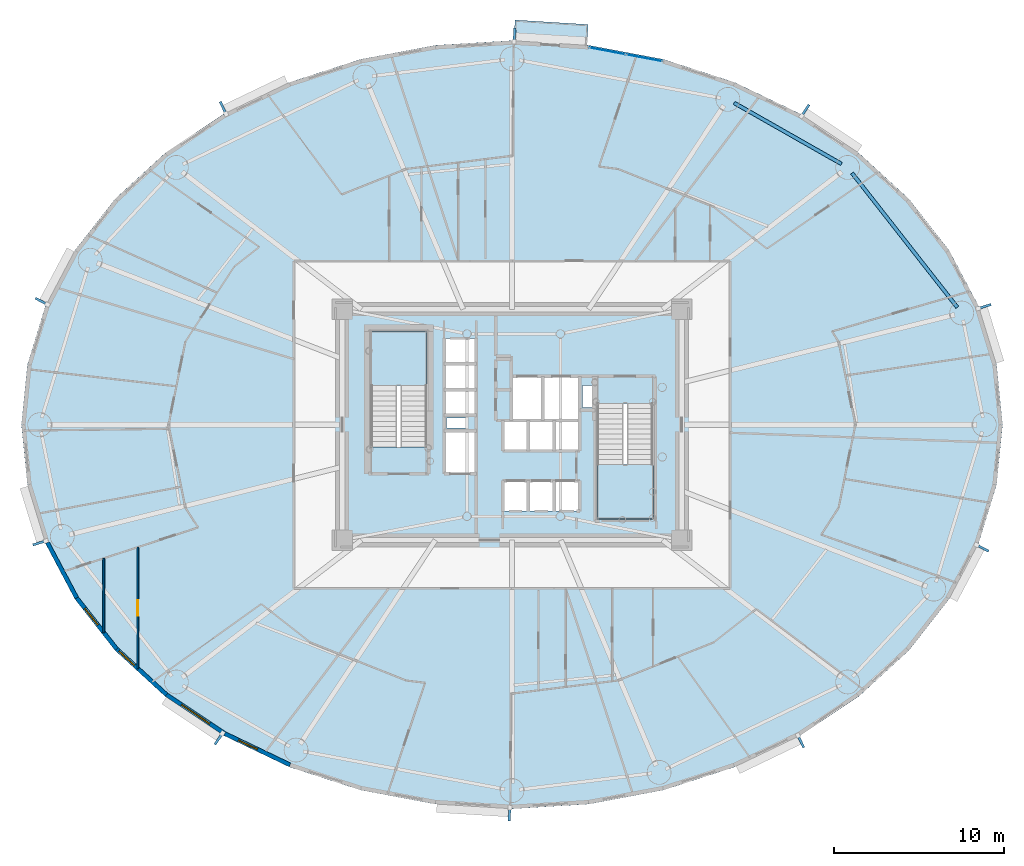
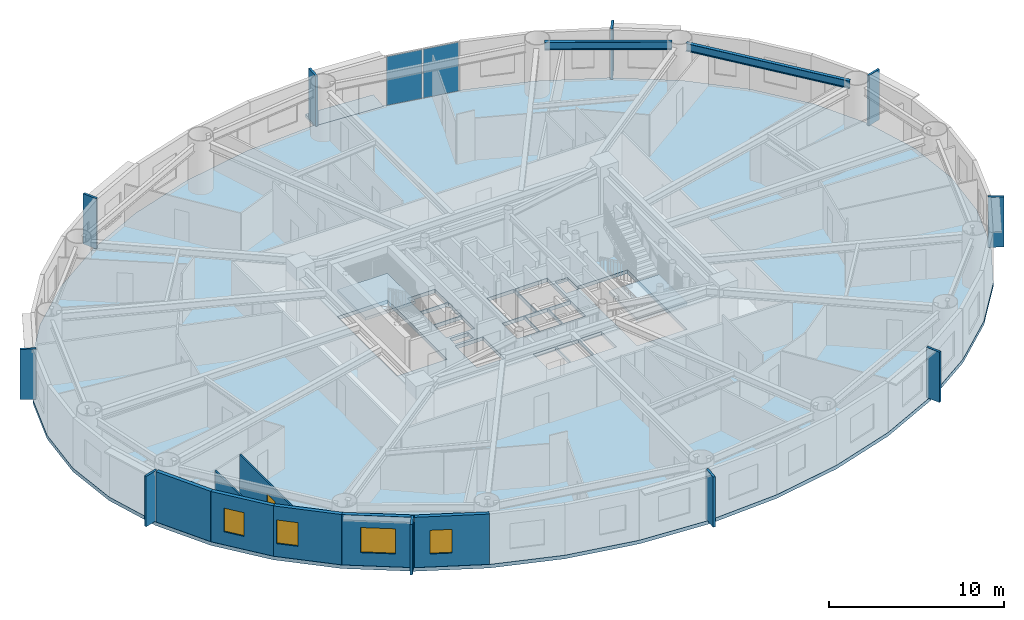
# One storey, part 5 of 16: 12 plates, 7 walls, 4 slabs, 4 windows, 2 beams, 1 door, 5 openings, 3 elements without a shape of their own.
"""IFC4 building model written with IfcOpenShell, lengths in metres."""

from ifc_helpers import new_model, si_unit, direction, frame, frame_2d, origin, origin_2d, place, context, subcontext, project, spatial, polyline, rectangle, i_section, outline, extrude, source, transform, mapped, material, layer, layer_set, material_profile, profile_set, type_object, element, fill, aggregate, save


model = new_model("IFC4")

# Units and contexts
model_context = context("Model", 3, precision=1e-05, world=origin(), true_north=direction((0.0, 1.0)))
body_context = subcontext(model_context, "Body", "Model", "MODEL_VIEW")
ifc_project = project(units=[si_unit("LENGTHUNIT", "METRE"), si_unit("AREAUNIT", "SQUARE_METRE"), si_unit("VOLUMEUNIT", "CUBIC_METRE"), si_unit("PLANEANGLEUNIT", "RADIAN"), si_unit("MASSUNIT", "GRAM", prefix="KILO")], contexts=[model_context])

# Site, building, storey
site_placement = place(None, origin())
site = spatial("IfcSite", under=ifc_project, at=site_placement, CompositionType="ELEMENT")
building_placement = place(site_placement, origin())
building = spatial("IfcBuilding", under=site, at=building_placement, Name="Linh Dai School and Residence Tower", CompositionType="ELEMENT")
storey_placement = place(building_placement, frame((0.0, 0.0, 108.449951171875)))
storey = spatial("IfcBuildingStorey", under=building, at=storey_placement, Name="L25", CompositionType="ELEMENT", Elevation=108.449951171875)

# Beams
ifc_material_1 = material(Name="Structural Steel S355JR", Category="steel")
ifc_material_profile = material_profile(ifc_material_1, i_section(OverallWidth=0.2099609375, OverallDepth=0.550048828125, WebThickness=0.010986328125, FlangeThickness=0.01708984375, FilletRadius=0.02392578125, at=origin_2d()), Name="IPE 550")
ifc_profile_set = profile_set([ifc_material_profile], Name="Structural Steel S355JR")
beam_type = type_object("IfcBeamType", Name="BM-RB55", PredefinedType="BEAM", material=ifc_profile_set)
beam_1_placement = place(storey_placement, frame((62.233642578125, 33.91162109375, 3.22509765625), z_axis=(-0.616854830973, 0.787076945098, 0.0), x_axis=(-0.787076945098, -0.616854830973, 0.0)))
element("IfcBeam", 1, at=beam_1_placement, inside=storey, type_object=beam_type, Name="L25 Perimeter Elliptical Ring Beam 02", PredefinedType="BEAM", context=body_context, shape_type="SweptSolid", body=[
    extrude(i_section(OverallWidth=0.2099609375, OverallDepth=0.550048828125, WebThickness=0.010986328125, FlangeThickness=0.01708984375, FilletRadius=0.02392578125, at=origin_2d()), origin(), (0.0, 0.0, 1.0), 10.053955078125),
])
beam_2_placement = place(storey_placement, frame((55.407470703125, 42.363037109375, 3.22509765625), z_axis=(-0.86927031475, 0.494337050902, 0.0), x_axis=(-0.494337050902, -0.86927031475, 0.0)))
element("IfcBeam", 2, at=beam_2_placement, inside=storey, type_object=beam_type, Name="L25 Perimeter Elliptical Ring Beam 03", PredefinedType="BEAM", context=body_context, shape_type="SweptSolid", body=[
    extrude(i_section(OverallWidth=0.2099609375, OverallDepth=0.550048828125, WebThickness=0.010986328125, FlangeThickness=0.01708984375, FilletRadius=0.02392578125, at=origin_2d()), origin(), (0.0, 0.0, 1.0), 7.270751953125),
])

# Slabs
ifc_material_2 = material(Name="Concrete B45 (C35/45)", Category="concrete")
ifc_layer_1 = layer(ifc_material_2, 0.219970703125)
ifc_layer_set_1 = layer_set([ifc_layer_1], Name="Concrete B45 (C35/45)")
slab_type_1 = type_object("IfcSlabType", Name="SLB-BALC-220", PredefinedType="FLOOR", material=ifc_layer_set_1)
slab_1_placement = place(storey_placement, frame((0.0, 0.0, -0.219970703125)))
element("IfcSlab", 3, at=slab_1_placement, inside=storey, type_object=slab_type_1, Name="L25 Sliding Balcony Slab 10", PredefinedType="FLOOR", context=body_context, shape_type="SweptSolid", body=[
    extrude(outline(polyline([(36.1025390625, 49.543701171875), (40.408447265625, 49.2783203125), (40.488525390625, 50.575927734375), (36.1826171875, 50.84130859375), (36.1025390625, 49.543701171875)])), origin(), (0.0, 0.0, 1.0), 0.219970703125),
])
ifc_layer_2 = layer(ifc_material_2, 0.25)
ifc_layer_set_2 = layer_set([ifc_layer_2], Name="Concrete B45 (C35/45)")
slab_type_2 = type_object("IfcSlabType", Name="SLB-FLR250", PredefinedType="FLOOR", material=ifc_layer_set_2)
slab_2_placement = place(storey_placement, frame((0.0, 0.0, -0.25)))
element("IfcSlab", 4, at=slab_2_placement, inside=storey, type_object=slab_type_2, Name="L25 Composite Structural Floor Slab", PredefinedType="FLOOR", context=body_context, shape_type="SweptSolid", body=[
    extrude(outline(polyline([(64.89990234375, 27.0), (64.544189453125, 30.5400390625), (63.485595703125, 33.9931640625), (61.75, 37.27392578125), (59.380615234375, 40.301513671875), (56.435302734375, 43.001708984375), (52.987060546875, 45.30810546875), (49.120361328125, 47.16357421875), (44.9306640625, 48.5224609375), (40.52099609375, 49.351318359375), (36.0, 49.6298828125), (31.47900390625, 49.351318359375), (27.0693359375, 48.5224609375), (22.879638671875, 47.16357421875), (19.012939453125, 45.30810546875), (15.564697265625, 43.001708984375), (12.619384765625, 40.301513671875), (10.25, 37.27392578125), (8.514404296875, 33.9931640625), (7.455810546875, 30.5400390625), (7.10009765625, 27.0), (7.455810546875, 23.4599609375), (8.514404296875, 20.0068359375), (10.25, 16.72607421875), (12.619384765625, 13.698486328125), (15.564697265625, 10.998291015625), (19.012939453125, 8.69189453125), (22.879638671875, 6.83642578125), (27.0693359375, 5.4775390625), (31.47900390625, 4.648681640625), (36.0, 4.3701171875), (40.52099609375, 4.648681640625), (44.9306640625, 5.4775390625), (49.120361328125, 6.83642578125), (52.987060546875, 8.69189453125), (56.435302734375, 10.998291015625), (59.380615234375, 13.698486328125), (61.75, 16.72607421875), (63.485595703125, 20.0068359375), (64.544189453125, 23.4599609375), (64.89990234375, 27.0)]), holes=[polyline([(30.97998046875, 25.699951171875), (30.97998046875, 32.5), (27.679931640625, 32.5), (27.679931640625, 25.699951171875), (30.97998046875, 25.699951171875)]), polyline([(41.02001953125, 28.25), (41.02001953125, 21.449951171875), (44.320068359375, 21.449951171875), (44.320068359375, 28.25), (41.02001953125, 28.25)]), polyline([(35.97998046875, 27.280029296875), (37.77001953125, 27.280029296875), (37.77001953125, 29.820068359375), (35.97998046875, 29.820068359375), (35.97998046875, 27.280029296875)]), polyline([(32.030029296875, 24.1298828125), (33.8701171875, 24.1298828125), (33.8701171875, 26.6201171875), (32.030029296875, 26.6201171875), (32.030029296875, 24.1298828125)]), polyline([(37.830078125, 27.280029296875), (39.969970703125, 27.280029296875), (39.969970703125, 29.820068359375), (37.830078125, 29.820068359375), (37.830078125, 27.280029296875)]), polyline([(35.47998046875, 21.929931640625), (36.929931640625, 21.929931640625), (36.929931640625, 23.669921875), (35.47998046875, 23.669921875), (35.47998046875, 21.929931640625)]), polyline([(36.989990234375, 21.929931640625), (38.449951171875, 21.929931640625), (38.449951171875, 23.669921875), (36.989990234375, 23.669921875), (36.989990234375, 21.929931640625)]), polyline([(38.510009765625, 21.929931640625), (39.969970703125, 21.929931640625), (39.969970703125, 23.669921875), (38.510009765625, 23.669921875), (38.510009765625, 21.929931640625)]), polyline([(32.030029296875, 27.580078125), (33.8701171875, 27.580078125), (33.8701171875, 29.030029296875), (32.030029296875, 29.030029296875), (32.030029296875, 27.580078125)]), polyline([(32.030029296875, 29.090087890625), (33.8701171875, 29.090087890625), (33.8701171875, 30.550048828125), (32.030029296875, 30.550048828125), (32.030029296875, 29.090087890625)]), polyline([(32.030029296875, 30.610107421875), (33.8701171875, 30.610107421875), (33.8701171875, 32.070068359375), (32.030029296875, 32.070068359375), (32.030029296875, 30.610107421875)]), polyline([(35.47998046875, 25.47998046875), (36.929931640625, 25.47998046875), (36.929931640625, 27.219970703125), (35.47998046875, 27.219970703125), (35.47998046875, 25.47998046875)]), polyline([(36.989990234375, 25.47998046875), (38.449951171875, 25.47998046875), (38.449951171875, 27.219970703125), (36.989990234375, 27.219970703125), (36.989990234375, 25.47998046875)]), polyline([(38.510009765625, 25.47998046875), (39.969970703125, 25.47998046875), (39.969970703125, 27.219970703125), (38.510009765625, 27.219970703125), (38.510009765625, 25.47998046875)]), polyline([(40.14990234375, 28.0), (40.14990234375, 29.300048828125), (41.0, 29.300048828125), (41.0, 28.280029296875), (40.989990234375, 28.280029296875), (40.989990234375, 28.0), (40.14990234375, 28.0)]), polyline([(32.14990234375, 26.800048828125), (33.35009765625, 26.800048828125), (33.35009765625, 27.39990234375), (32.14990234375, 27.39990234375), (32.14990234375, 26.800048828125)])]), origin(), (0.0, 0.0, 1.0), 0.25),
])

# Stair, slab
stair_type = type_object("IfcStairType", Name="ST-DOG-1550-R1442", PredefinedType="HALF_TURN_STAIR", material=ifc_material_2)
stair_1_placement = place(storey_placement, origin())
stair_1 = element("IfcStair", 5, at=stair_1_placement, inside=storey, type_object=stair_type, Name="L25 Core Smokeproof Exit Stair ST1", PredefinedType="HALF_TURN_STAIR")
ifc_layer_3 = layer(ifc_material_2, 0.199951171875)
ifc_layer_set_3 = layer_set([ifc_layer_3], Name="Concrete B45 (C35/45)")
slab_type_3 = type_object("IfcSlabType", Name="SLB-ST-LANDING-200", PredefinedType="LANDING", material=ifc_layer_set_3)
slab_3_placement = place(storey_placement, frame((0.0, 0.0, 1.675048828125)))
slab_3 = element("IfcSlab", 6, at=slab_3_placement, type_object=slab_type_3, Name="ST1 landing 1", PredefinedType="LANDING", context=body_context, shape_type="SweptSolid", body=[
    extrude(outline(polyline([(30.97998046875, 29.300048828125), (30.97998046875, 32.5), (27.679931640625, 32.5), (27.679931640625, 29.300048828125), (30.97998046875, 29.300048828125)])), origin(), (0.0, 0.0, 1.0), 0.199951171875),
])
aggregate(stair_1, [slab_3])

stair_2_placement = place(storey_placement, origin())
stair_2 = element("IfcStair", 7, at=stair_2_placement, inside=storey, type_object=stair_type, Name="L25 Core Smokeproof Exit Stair ST2", PredefinedType="HALF_TURN_STAIR")
slab_4_placement = place(storey_placement, frame((0.0, 0.0, 1.675048828125)))
slab_4 = element("IfcSlab", 8, at=slab_4_placement, type_object=slab_type_3, Name="ST2 landing 1", PredefinedType="LANDING", context=body_context, shape_type="SweptSolid", body=[
    extrude(outline(polyline([(41.02001953125, 24.64990234375), (41.02001953125, 21.449951171875), (44.320068359375, 21.449951171875), (44.320068359375, 24.64990234375), (41.02001953125, 24.64990234375)])), origin(), (0.0, 0.0, 1.0), 0.199951171875),
])
aggregate(stair_2, [slab_4])

# Plates
ifc_material_3 = material(Name="Precast Concrete B45 (C35/45)", Category="concrete")
ifc_layer_4 = layer(ifc_material_3, 0.139892578125)
ifc_layer_set_4 = layer_set([ifc_layer_4], Name="Precast Concrete B45 (C35/45)")
plate_type_1 = type_object("IfcPlateType", Name="FIN-TC-900x140", PredefinedType="USERDEFINED", material=ifc_layer_set_4)
shared_shape_1 = source(origin(), body_context, "Body", "SweptSolid", [
    extrude(rectangle(XDim=0.89990234375, YDim=0.139892578125, at=origin_2d()), origin(), (0.0, 0.0, 1.0), 3.5),
])
for number, where, z_axis, x_axis, name in (
    (9, (63.79736328125, 33.95068359375, 0.0), (0.0, 0.0, 1.0), (0.956071511028, 0.293133528962, 0.0), "L25 Precast Terracotta Radial Fin 02"),
    (10, (53.2529296875, 45.473388671875, 0.0), (0.0, 0.0, 1.0), (0.555913198527, 0.831240347736, 0.0), "L25 Precast Terracotta Radial Fin 06"),
    (11, (36.14501953125, 49.90673828125, 0.0), (0.0, 0.0, 1.0), (0.061509255091, 0.998106513123, 0.0), "L25 Precast Terracotta Radial Fin 10"),
    (12, (19.005615234375, 45.620849609375, 0.0), (0.0, 0.0, 1.0), (-0.432617589064, 0.901577518371, 0.0), "L25 Precast Terracotta Radial Fin 14"),
    (13, (8.32373046875, 34.242919921875, 0.0), (0.0, 0.0, 1.0), (-0.883942180016, 0.467596217252, 0.0), "L25 Precast Terracotta Radial Fin 18"),
    (14, (8.20263671875, 20.04931640625, 0.0), (0.0, 0.0, 1.0), (-0.956071511028, -0.293133528962, 0.0), "L25 Precast Terracotta Radial Fin 22"),
    (15, (18.7470703125, 8.526611328125, 0.0), (0.0, 0.0, 1.0), (-0.555913198527, -0.831240347736, 0.0), "L25 Precast Terracotta Radial Fin 26"),
    (16, (35.85498046875, 4.09326171875, 0.0), (0.0, 0.0, 1.0), (-0.061509255091, -0.998106513123, 0.0), "L25 Precast Terracotta Radial Fin 30"),
    (17, (52.994384765625, 8.379150390625, 0.0), (0.0, 0.0, 1.0), (0.432617589064, -0.901577518371, 0.0), "L25 Precast Terracotta Radial Fin 34"),
    (18, (63.67626953125, 19.757080078125, 0.0), (0.0, 0.0, 1.0), (0.883942180016, -0.467596217252, 0.0), "L25 Precast Terracotta Radial Fin 38"),
):
    element("IfcPlate", number, at=place(storey_placement, frame(where, z_axis=z_axis, x_axis=x_axis)), inside=storey, type_object=plate_type_1, Name=name, ObjectType="RADIAL FIN", PredefinedType="USERDEFINED", context=body_context, shape_type="MappedRepresentation", body=[
        mapped(shared_shape_1, transform((0.0, 0.0, 0.0), x_axis=(1.0, 0.0, 0.0), y_axis=(0.0, 1.0, 0.0), z_axis=(0.0, 0.0, 1.0), scale=1.0)),
    ])

# Curtain wall, plates
ifc_material_4 = material(Name="Aluminium Anodised Curtain Wall", Category="aluminium")
ifc_layer_5 = layer(ifc_material_4, 0.14990234375)
ifc_layer_set_5 = layer_set([ifc_layer_5], Name="Aluminium Anodised Curtain Wall")
curtain_wall_type = type_object("IfcCurtainWallType", Name="CW-SYS-4", PredefinedType="USERDEFINED", material=ifc_layer_set_5)
curtain_wall_placement = place(storey_placement, origin())
curtain_wall = element("IfcCurtainWall", 19, at=curtain_wall_placement, inside=storey, type_object=curtain_wall_type, Name="L25 CW4 Curtain Wall 09", ObjectType="RIBBON CURTAIN WALL", PredefinedType="USERDEFINED")
ifc_material_5 = material(Name="Double Low-E Insulated Glazing", Category="glass")
ifc_layer_6 = layer(ifc_material_5, 0.02587890625)
ifc_layer_set_6 = layer_set([ifc_layer_6], Name="Double Low-E Insulated Glazing")
plate_type_2 = type_object("IfcPlateType", Name="CW-SYS-4-PAN", PredefinedType="CURTAIN_PANEL", material=ifc_layer_set_6)
shared_shape_2 = source(origin(), body_context, "Body", "SweptSolid", [
    extrude(rectangle(XDim=2.157470703125, YDim=0.02587890625, at=origin_2d()), origin(), (0.0, 0.0, 1.0), 3.39599609375),
])
plate_1_placement = place(storey_placement, frame((41.616943359375, 49.018310546875, 0.052001953125), z_axis=(0.0, 0.0, 1.0), x_axis=(0.982784673718, -0.18475466193, 0.0)))
plate_1 = element("IfcPlate", 20, at=plate_1_placement, type_object=plate_type_2, Name="CW4 panel 1.1", PredefinedType="CURTAIN_PANEL", context=body_context, shape_type="MappedRepresentation", body=[
    mapped(shared_shape_2, transform((0.0, 0.0, 0.0), x_axis=(1.0, 0.0, 0.0), y_axis=(0.0, 1.0, 0.0), z_axis=(0.0, 0.0, 1.0), scale=1.0)),
])
plate_2_placement = place(storey_placement, frame((43.788330078125, 48.610107421875, 0.052001953125), z_axis=(0.0, 0.0, 1.0), x_axis=(0.982784673718, -0.18475466193, 0.0)))
plate_2 = element("IfcPlate", 21, at=plate_2_placement, type_object=plate_type_2, Name="CW4 panel 2.1", PredefinedType="CURTAIN_PANEL", context=body_context, shape_type="MappedRepresentation", body=[
    mapped(shared_shape_2, transform((0.0, 0.0, 0.0), x_axis=(1.0, 0.0, 0.0), y_axis=(0.0, 1.0, 0.0), z_axis=(0.0, 0.0, 1.0), scale=1.0)),
])
aggregate(curtain_wall, [plate_1, plate_2])

# Wall
ifc_layer_7 = layer(ifc_material_3, 0.239990234375)
ifc_layer_set_7 = layer_set([ifc_layer_7], Name="Precast Concrete B45 (C35/45)")
wall_type_1 = type_object("IfcWallType", Name="EW-TC-240", PredefinedType="SOLIDWALL", material=ifc_layer_set_7)
wall_1_placement = place(storey_placement, frame((10.354736328125, 16.79443359375, 0.0), z_axis=(0.0, 0.0, 1.0), x_axis=(-0.467614004126, 0.883932770716, 0.0)))
element("IfcWall", 22, at=wall_1_placement, inside=storey, type_object=wall_type_1, Name="L25 Terracotta Exterior Wall 23", PredefinedType="SOLIDWALL", context=body_context, shape_type="SweptSolid", body=[
    extrude(rectangle(XDim=3.688720703125, YDim=0.239990234375, at=frame_2d((1.84423828125, 0.0))), origin(), (0.0, 0.0, 1.0), 3.5),
])

# Wall, opening, window
wall_2_placement = place(storey_placement, frame((12.7109375, 13.783447265625, 0.0), z_axis=(0.0, 0.0, 1.0), x_axis=(-0.616272103517, 0.787533297345, 0.0)))
wall_2 = element("IfcWall", 23, at=wall_2_placement, inside=storey, type_object=wall_type_1, Name="L25 Terracotta Exterior Wall 24", PredefinedType="SOLIDWALL", context=body_context, shape_type="SweptSolid", body=[
    extrude(rectangle(XDim=3.8232421875, YDim=0.239990234375, at=frame_2d((1.91162109375, 0.0))), origin(), (0.0, 0.0, 1.0), 3.5),
])
opening_1_placement = place(wall_2_placement, frame((1.791015625, 0.0, 0.89990234375)))
opening_1 = element("IfcOpeningElement", 24, at=opening_1_placement, cuts=wall_2, Name="Opening W3", PredefinedType="OPENING", context=body_context, shape_type="SweptSolid", body=[
    extrude(rectangle(XDim=1.25, YDim=1.64990234375, at=origin_2d()), frame((0.625, 0.1298828125, 0.824951171875), z_axis=(0.0, -1.0, 0.0), x_axis=(1.0, 0.0, 0.0)), (0.0, 0.0, 1.0), 0.260009765625),
])
window_type_1 = type_object("IfcWindowType", Name="WN-RES-1250x1650", PartitioningType="SINGLE_PANEL", PredefinedType="WINDOW", material=ifc_material_5)
shared_shape_3 = source(origin(), body_context, "Body", "SweptSolid", [
    extrude(rectangle(XDim=1.25, YDim=1.64990234375, at=origin_2d()), frame((0.625, 0.030029296875, 0.824951171875), z_axis=(0.0, -1.0, 0.0), x_axis=(1.0, 0.0, 0.0)), (0.0, 0.0, 1.0), 0.06005859375),
])
window_1_placement = place(opening_1_placement, origin())
window_1 = element("IfcWindow", 25, at=window_1_placement, inside=storey, type_object=window_type_1, Name="L25 Exterior Window 24.1", OverallHeight=1.64990234375, OverallWidth=1.25, PartitioningType="SINGLE_PANEL", PredefinedType="WINDOW", context=body_context, shape_type="MappedRepresentation", body=[
    mapped(shared_shape_3, transform((0.0, 0.0, 0.0), x_axis=(1.0, 0.0, 0.0), y_axis=(0.0, 1.0, 0.0), z_axis=(0.0, 0.0, 1.0), scale=1.0)),
])
fill(opening_1, window_1)

wall_3_placement = place(storey_placement, frame((15.6416015625, 11.0966796875, 0.0), z_axis=(0.0, 0.0, 1.0), x_axis=(-0.737113356241, 0.675769117414, 0.0)))
wall_3 = element("IfcWall", 26, at=wall_3_placement, inside=storey, type_object=wall_type_1, Name="L25 Terracotta Exterior Wall 25", PredefinedType="SOLIDWALL", context=body_context, shape_type="SweptSolid", body=[
    extrude(rectangle(XDim=3.975830078125, YDim=0.239990234375, at=frame_2d((1.98779296875, 0.0))), origin(), (0.0, 0.0, 1.0), 3.5),
])
opening_2_placement = place(wall_3_placement, frame((2.5458984375, 0.0, 0.89990234375)))
opening_2 = element("IfcOpeningElement", 27, at=opening_2_placement, cuts=wall_3, Name="Opening W3", PredefinedType="OPENING", context=body_context, shape_type="SweptSolid", body=[
    extrude(rectangle(XDim=1.25, YDim=1.64990234375, at=origin_2d()), frame((0.625, 0.1298828125, 0.824951171875), z_axis=(0.0, -1.0, 0.0), x_axis=(1.0, 0.0, 0.0)), (0.0, 0.0, 1.0), 0.260009765625),
])
window_2_placement = place(opening_2_placement, origin())
window_2 = element("IfcWindow", 28, at=window_2_placement, inside=storey, type_object=window_type_1, Name="L25 Dwelling Window U2503-LIV", OverallHeight=1.64990234375, OverallWidth=1.25, PartitioningType="SINGLE_PANEL", PredefinedType="WINDOW", context=body_context, shape_type="MappedRepresentation", body=[
    mapped(shared_shape_3, transform((0.0, 0.0, 0.0), x_axis=(1.0, 0.0, 0.0), y_axis=(0.0, 1.0, 0.0), z_axis=(0.0, 0.0, 1.0), scale=1.0)),
])
fill(opening_2, window_2)

wall_4_placement = place(storey_placement, frame((19.07470703125, 8.800537109375, 0.0), z_axis=(0.0, 0.0, 1.0), x_axis=(-0.831221811447, 0.555940914284, 0.0)))
wall_4 = element("IfcWall", 29, at=wall_4_placement, inside=storey, type_object=wall_type_1, Name="L25 Terracotta Exterior Wall 26", PredefinedType="SOLIDWALL", context=body_context, shape_type="SweptSolid", body=[
    extrude(rectangle(XDim=4.130126953125, YDim=0.239990234375, at=frame_2d((2.06494140625, 0.0))), origin(), (0.0, 0.0, 1.0), 3.5),
])
opening_3_placement = place(wall_4_placement, frame((1.06494140625, 0.0, 0.89990234375)))
opening_3 = element("IfcOpeningElement", 30, at=opening_3_placement, cuts=wall_4, Name="Opening W1", PredefinedType="OPENING", context=body_context, shape_type="SweptSolid", body=[
    extrude(rectangle(XDim=2.0, YDim=1.75, at=origin_2d()), frame((1.0, 0.1298828125, 0.875), z_axis=(0.0, -1.0, 0.0), x_axis=(1.0, 0.0, 0.0)), (0.0, 0.0, 1.0), 0.260009765625),
])
window_type_2 = type_object("IfcWindowType", Name="WN-RES-2000x1750", PartitioningType="DOUBLE_PANEL_VERTICAL", PredefinedType="WINDOW", material=ifc_material_5)
shared_shape_4 = source(origin(), body_context, "Body", "SweptSolid", [
    extrude(rectangle(XDim=2.0, YDim=1.75, at=origin_2d()), frame((1.0, 0.030029296875, 0.875), z_axis=(0.0, -1.0, 0.0), x_axis=(1.0, 0.0, 0.0)), (0.0, 0.0, 1.0), 0.06005859375),
])
window_3_placement = place(opening_3_placement, origin())
window_3 = element("IfcWindow", 31, at=window_3_placement, inside=storey, type_object=window_type_2, Name="L25 Exterior Window 26.1", OverallHeight=1.75, OverallWidth=2.0, PartitioningType="DOUBLE_PANEL_VERTICAL", PredefinedType="WINDOW", context=body_context, shape_type="MappedRepresentation", body=[
    mapped(shared_shape_4, transform((0.0, 0.0, 0.0), x_axis=(1.0, 0.0, 0.0), y_axis=(0.0, 1.0, 0.0), z_axis=(0.0, 0.0, 1.0), scale=1.0)),
])
fill(opening_3, window_3)

wall_5_placement = place(storey_placement, frame((22.926025390625, 6.95263671875, 0.0), z_axis=(0.0, 0.0, 1.0), x_axis=(-0.901589935876, 0.432591709962, 0.0)))
wall_5 = element("IfcWall", 32, at=wall_5_placement, inside=storey, type_object=wall_type_1, Name="L25 Terracotta Exterior Wall 27", PredefinedType="SOLIDWALL", context=body_context, shape_type="SweptSolid", body=[
    extrude(rectangle(XDim=4.271728515625, YDim=0.239990234375, at=frame_2d((2.1357421875, 0.0))), origin(), (0.0, 0.0, 1.0), 3.5),
])
opening_4_placement = place(wall_5_placement, frame((2.1318359375, 0.0, 0.89990234375)))
opening_4 = element("IfcOpeningElement", 33, at=opening_4_placement, cuts=wall_5, Name="Opening W3", PredefinedType="OPENING", context=body_context, shape_type="SweptSolid", body=[
    extrude(rectangle(XDim=1.25, YDim=1.64990234375, at=origin_2d()), frame((0.625, 0.1298828125, 0.824951171875), z_axis=(0.0, -1.0, 0.0), x_axis=(1.0, 0.0, 0.0)), (0.0, 0.0, 1.0), 0.260009765625),
])
window_4_placement = place(opening_4_placement, origin())
window_4 = element("IfcWindow", 34, at=window_4_placement, inside=storey, type_object=window_type_1, Name="L25 Exterior Window 27.1", OverallHeight=1.64990234375, OverallWidth=1.25, PartitioningType="SINGLE_PANEL", PredefinedType="WINDOW", context=body_context, shape_type="MappedRepresentation", body=[
    mapped(shared_shape_3, transform((0.0, 0.0, 0.0), x_axis=(1.0, 0.0, 0.0), y_axis=(0.0, 1.0, 0.0), z_axis=(0.0, 0.0, 1.0), scale=1.0)),
])
fill(opening_4, window_4)

# Wall
ifc_material_6 = material(Name="Gypsum Plasterboard Acoustic Stud Partition", Category="masonry")
ifc_layer_8 = layer(ifc_material_6, 0.10009765625)
ifc_layer_set_8 = layer_set([ifc_layer_8], Name="Gypsum Plasterboard Acoustic Stud Partition")
wall_type_2 = type_object("IfcWallType", Name="IW-UNIT-100", PredefinedType="PARTITIONING", material=ifc_layer_set_8)
wall_6_placement = place(storey_placement, frame((11.946533203125, 14.752197265625, 0.0), z_axis=(0.0, 0.0, 1.0), x_axis=(0.0, 1.0, 0.0)))
element("IfcWall", 35, at=wall_6_placement, inside=storey, type_object=wall_type_2, Name="L25 Interior Partition Wall 007", PredefinedType="PARTITIONING", context=body_context, shape_type="SweptSolid", body=[
    extrude(rectangle(XDim=4.374267578125, YDim=0.10009765625, at=frame_2d((2.18701171875, 0.0))), origin(), (0.0, 0.0, 1.0), 2.93505859375),
])

# Wall, opening, door
wall_7_placement = place(storey_placement, frame((13.960205078125, 12.63134765625, 0.0), z_axis=(0.0, 0.0, 1.0), x_axis=(0.0, 1.0, 0.0)))
wall_7 = element("IfcWall", 36, at=wall_7_placement, inside=storey, type_object=wall_type_2, Name="L25 Interior Partition Wall 008", PredefinedType="PARTITIONING", context=body_context, shape_type="SweptSolid", body=[
    extrude(rectangle(XDim=7.154296875, YDim=0.10009765625, at=frame_2d((3.5771484375, 0.0))), origin(), (0.0, 0.0, 1.0), 2.93505859375),
])
opening_5_placement = place(wall_7_placement, frame((3.127197265625, 0.0, 0.0)))
opening_5 = element("IfcOpeningElement", 37, at=opening_5_placement, cuts=wall_7, Name="Opening D05", PredefinedType="OPENING", context=body_context, shape_type="SweptSolid", body=[
    extrude(rectangle(XDim=0.89990234375, YDim=2.10009765625, at=origin_2d()), frame((0.449951171875, 0.06005859375, 1.050048828125), z_axis=(0.0, -1.0, 0.0), x_axis=(1.0, 0.0, 0.0)), (0.0, 0.0, 1.0), 0.1201171875),
])
ifc_material_7 = material(Name="Engineered Timber Internal Door", Category="wood")
door_type = type_object("IfcDoorType", Name="DR-INT-900x2100", OperationType="NOTDEFINED", PredefinedType="DOOR", material=ifc_material_7)
shared_shape_5 = source(origin(), body_context, "Body", "SweptSolid", [
    extrude(rectangle(XDim=0.89990234375, YDim=2.10009765625, at=origin_2d()), frame((0.449951171875, 0.02490234375, 1.050048828125), z_axis=(0.0, -1.0, 0.0), x_axis=(1.0, 0.0, 0.0)), (0.0, 0.0, 1.0), 0.050048828125),
])
door_placement = place(opening_5_placement, origin())
door = element("IfcDoor", 38, at=door_placement, inside=storey, type_object=door_type, Name="L25 Apartment U2503 Kitchen Door", OperationType="SINGLE_SWING_LEFT", OverallHeight=2.10009765625, OverallWidth=0.89990234375, PredefinedType="DOOR", context=body_context, shape_type="MappedRepresentation", body=[
    mapped(shared_shape_5, transform((0.0, 0.0, 0.0), x_axis=(1.0, 0.0, 0.0), y_axis=(0.0, 1.0, 0.0), z_axis=(0.0, 0.0, 1.0), scale=1.0)),
])
fill(opening_5, door)

save(model, "model.ifc")
